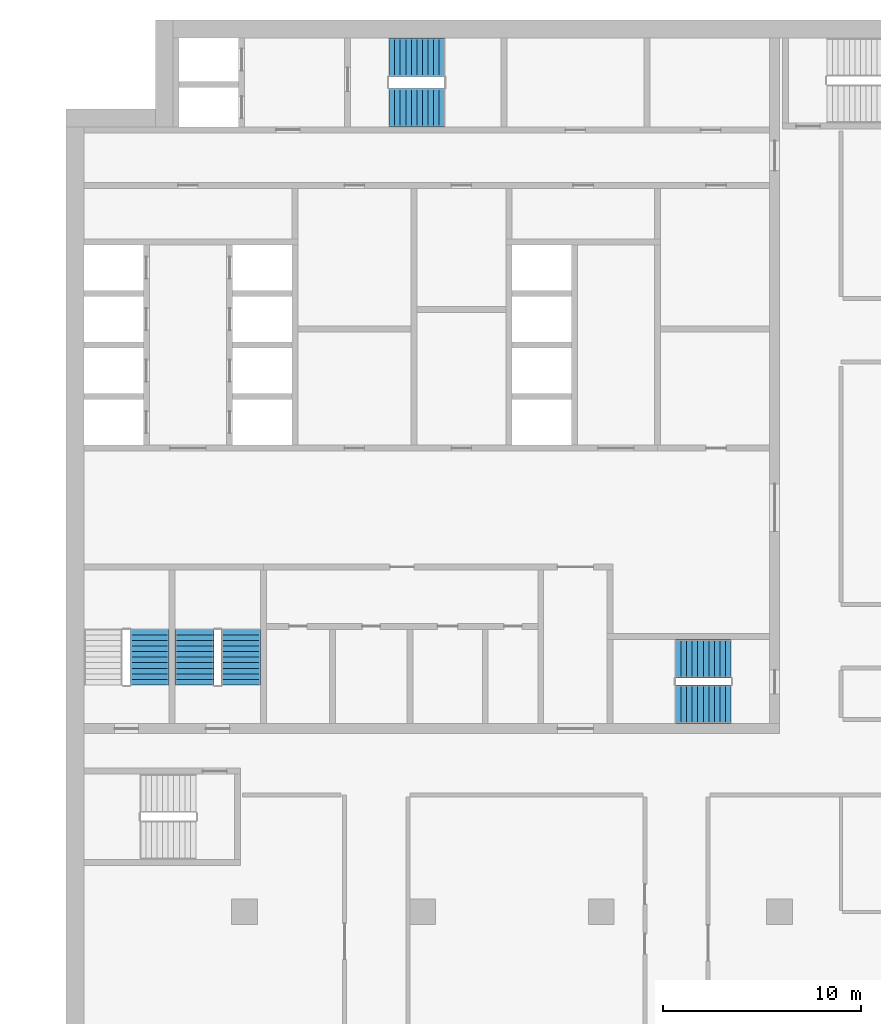
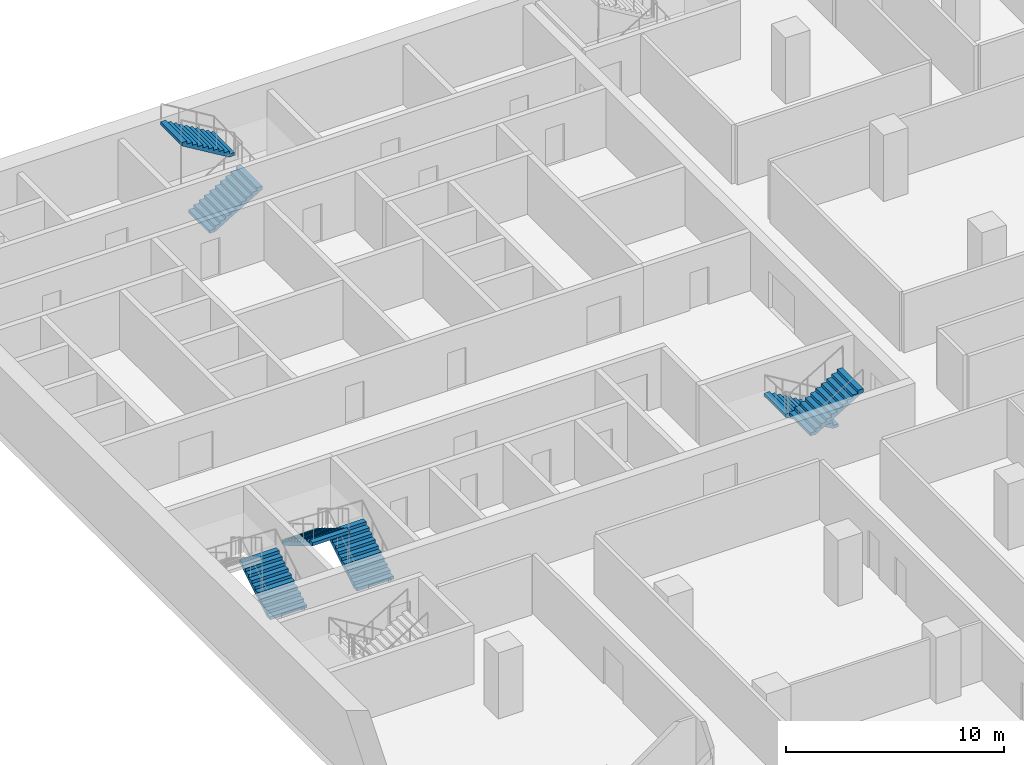
# One storey, part 16 of 22: 7 stair flights, 4 elements without a shape of their own.
"""IFC4 building model written with IfcOpenShell, lengths in metres."""

from ifc_helpers import new_model, si_unit, direction, frame, origin, place, context, subcontext, project, spatial, polyline, outline, extrude, material, type_object, element, aggregate, save


model = new_model("IFC4")

# Units and contexts
model_context = context("Model", 3, precision=1e-05, world=origin(), true_north=direction((0.0, 1.0)))
body_context = subcontext(model_context, "Body", "Model", "MODEL_VIEW")
ifc_project = project(units=[si_unit("LENGTHUNIT", "METRE"), si_unit("AREAUNIT", "SQUARE_METRE"), si_unit("VOLUMEUNIT", "CUBIC_METRE"), si_unit("PLANEANGLEUNIT", "RADIAN"), si_unit("MASSUNIT", "GRAM", prefix="KILO")], contexts=[model_context])

# Site, building, storey
site_placement = place(None, origin())
site = spatial("IfcSite", under=ifc_project, at=site_placement, CompositionType="ELEMENT")
building_placement = place(site_placement, origin())
building = spatial("IfcBuilding", under=site, at=building_placement, Name="Hunhe Ridgeline Campus", CompositionType="ELEMENT")
storey_placement = place(building_placement, frame((0.0, 0.0, 114.39990234375)))
storey = spatial("IfcBuildingStorey", under=building, at=storey_placement, Name="L28", CompositionType="ELEMENT", Elevation=114.39990234375)

# Stair, stair flights
ifc_material = material(Name="Concrete C40", Category="concrete")
stair_type = type_object("IfcStairType", Name="Reinforced concrete dog-leg stair 1950 Concrete C40", PredefinedType="HALF_TURN_STAIR", material=ifc_material)
stair_1_placement = place(storey_placement, origin())
stair_1 = element("IfcStair", 1, at=stair_1_placement, inside=storey, type_object=stair_type, Name="L28 S1", PredefinedType="HALF_TURN_STAIR")
stair_flight_type = type_object("IfcStairFlightType", Name="Reinforced concrete stair flight 1950 Concrete C40", PredefinedType="STRAIGHT", material=ifc_material)
stair_flight_1_placement = place(storey_placement, frame((16.300048828125, 94.574951171875, 0.0), z_axis=(0.0, 0.0, 1.0), x_axis=(1.0, 0.0, 0.0)))
stair_flight_1 = element("IfcStairFlight", 2, at=stair_flight_1_placement, type_object=stair_flight_type, Name="ST1 flight 1", NumberOfRisers=11, NumberOfTreads=10, PredefinedType="STRAIGHT", RiserHeight=0.168181818, TreadLength=0.28, context=body_context, shape_type="SweptSolid", body=[
    extrude(outline(polyline([(0.0, 0.0), (0.0, 0.168212890625), (0.280029296875, 0.168212890625), (0.280029296875, 0.33642578125), (0.56005859375, 0.33642578125), (0.56005859375, 0.504638671875), (0.840087890625, 0.504638671875), (0.840087890625, 0.672607421875), (1.1201171875, 0.672607421875), (1.1201171875, 0.8408203125), (1.39990234375, 0.8408203125), (1.39990234375, 1.009033203125), (1.679931640625, 1.009033203125), (1.679931640625, 1.17724609375), (1.9599609375, 1.17724609375), (1.9599609375, 1.345458984375), (2.239990234375, 1.345458984375), (2.239990234375, 1.513671875), (2.52001953125, 1.513671875), (2.52001953125, 1.681884765625), (2.800048828125, 1.681884765625), (2.800048828125, 1.85009765625), (2.800048828125, 1.5068359375), (0.291015625, 0.0), (0.0, 0.0)])), frame((0.0, 0.97509765625, 0.0), z_axis=(0.0, -1.0, 0.0), x_axis=(1.0, 0.0, 0.0)), (0.0, 0.0, 1.0), 1.949951171875),
    extrude(outline(polyline([(0.030029296875, 0.030029296875), (0.030029296875, 0.13818359375), (0.31005859375, 0.13818359375), (0.31005859375, 0.306396484375), (0.590087890625, 0.306396484375), (0.590087890625, 0.474609375), (0.8701171875, 0.474609375), (0.8701171875, 0.642578125), (1.14990234375, 0.642578125), (1.14990234375, 0.810791015625), (1.429931640625, 0.810791015625), (1.429931640625, 0.97900390625), (1.7099609375, 0.97900390625), (1.7099609375, 1.147216796875), (1.989990234375, 1.147216796875), (1.989990234375, 1.3154296875), (2.27001953125, 1.3154296875), (2.27001953125, 1.483642578125), (2.550048828125, 1.483642578125), (2.550048828125, 1.65185546875), (2.77001953125, 1.65185546875), (2.77001953125, 1.52392578125), (0.28271484375, 0.030029296875), (0.030029296875, 0.030029296875)])), frame((0.0, -0.070068359375, 0.0), z_axis=(0.0, -1.0, 0.0), x_axis=(1.0, 0.0, 0.0)), (0.0, 0.0, 1.0), 0.019775390625),
    extrude(outline(polyline([(0.030029296875, 0.030029296875), (0.030029296875, 0.13818359375), (0.31005859375, 0.13818359375), (0.31005859375, 0.306396484375), (0.590087890625, 0.306396484375), (0.590087890625, 0.474609375), (0.8701171875, 0.474609375), (0.8701171875, 0.642578125), (1.14990234375, 0.642578125), (1.14990234375, 0.810791015625), (1.429931640625, 0.810791015625), (1.429931640625, 0.97900390625), (1.7099609375, 0.97900390625), (1.7099609375, 1.147216796875), (1.989990234375, 1.147216796875), (1.989990234375, 1.3154296875), (2.27001953125, 1.3154296875), (2.27001953125, 1.483642578125), (2.550048828125, 1.483642578125), (2.550048828125, 1.65185546875), (2.77001953125, 1.65185546875), (2.77001953125, 1.52392578125), (0.28271484375, 0.030029296875), (0.030029296875, 0.030029296875)])), frame((0.0, 0.010009765625, 0.0), z_axis=(0.0, -1.0, 0.0), x_axis=(1.0, 0.0, 0.0)), (0.0, 0.0, 1.0), 0.019775390625),
    extrude(outline(polyline([(0.030029296875, 0.030029296875), (0.030029296875, 0.13818359375), (0.31005859375, 0.13818359375), (0.31005859375, 0.306396484375), (0.590087890625, 0.306396484375), (0.590087890625, 0.474609375), (0.8701171875, 0.474609375), (0.8701171875, 0.642578125), (1.14990234375, 0.642578125), (1.14990234375, 0.810791015625), (1.429931640625, 0.810791015625), (1.429931640625, 0.97900390625), (1.7099609375, 0.97900390625), (1.7099609375, 1.147216796875), (1.989990234375, 1.147216796875), (1.989990234375, 1.3154296875), (2.27001953125, 1.3154296875), (2.27001953125, 1.483642578125), (2.550048828125, 1.483642578125), (2.550048828125, 1.65185546875), (2.77001953125, 1.65185546875), (2.77001953125, 1.52392578125), (0.28271484375, 0.030029296875), (0.030029296875, 0.030029296875)])), frame((0.0, 0.090087890625, 0.0), z_axis=(0.0, -1.0, 0.0), x_axis=(1.0, 0.0, 0.0)), (0.0, 0.0, 1.0), 0.019775390625),
])
stair_flight_2_placement = place(storey_placement, frame((19.10009765625, 97.125, 1.85009765625), z_axis=(0.0, 0.0, 1.0), x_axis=(-1.0, 0.0, 0.0)))
stair_flight_2 = element("IfcStairFlight", 3, at=stair_flight_2_placement, type_object=stair_flight_type, Name="ST1 flight 2", NumberOfRisers=11, NumberOfTreads=10, PredefinedType="STRAIGHT", RiserHeight=0.168181818, TreadLength=0.28, context=body_context, shape_type="SweptSolid", body=[
    extrude(outline(polyline([(0.0, 0.0), (0.0, 0.168212890625), (0.280029296875, 0.168212890625), (0.280029296875, 0.33642578125), (0.56005859375, 0.33642578125), (0.56005859375, 0.504638671875), (0.840087890625, 0.504638671875), (0.840087890625, 0.672607421875), (1.1201171875, 0.672607421875), (1.1201171875, 0.8408203125), (1.39990234375, 0.8408203125), (1.39990234375, 1.009033203125), (1.679931640625, 1.009033203125), (1.679931640625, 1.17724609375), (1.9599609375, 1.17724609375), (1.9599609375, 1.345458984375), (2.239990234375, 1.345458984375), (2.239990234375, 1.513671875), (2.52001953125, 1.513671875), (2.52001953125, 1.681884765625), (2.800048828125, 1.681884765625), (2.800048828125, 1.85009765625), (2.800048828125, 1.5068359375), (0.291015625, 0.0), (0.0, 0.0)])), frame((0.0, 0.97509765625, 0.0), z_axis=(0.0, -1.0, 0.0), x_axis=(1.0, 0.0, 0.0)), (0.0, 0.0, 1.0), 1.949951171875),
    extrude(outline(polyline([(0.030029296875, 0.030029296875), (0.030029296875, 0.13818359375), (0.31005859375, 0.13818359375), (0.31005859375, 0.306396484375), (0.590087890625, 0.306396484375), (0.590087890625, 0.474609375), (0.8701171875, 0.474609375), (0.8701171875, 0.642578125), (1.14990234375, 0.642578125), (1.14990234375, 0.810791015625), (1.429931640625, 0.810791015625), (1.429931640625, 0.97900390625), (1.7099609375, 0.97900390625), (1.7099609375, 1.147216796875), (1.989990234375, 1.147216796875), (1.989990234375, 1.3154296875), (2.27001953125, 1.3154296875), (2.27001953125, 1.483642578125), (2.550048828125, 1.483642578125), (2.550048828125, 1.65185546875), (2.77001953125, 1.65185546875), (2.77001953125, 1.52392578125), (0.28271484375, 0.030029296875), (0.030029296875, 0.030029296875)])), frame((0.0, -0.070068359375, 0.0), z_axis=(0.0, -1.0, 0.0), x_axis=(1.0, 0.0, 0.0)), (0.0, 0.0, 1.0), 0.019775390625),
    extrude(outline(polyline([(0.030029296875, 0.030029296875), (0.030029296875, 0.13818359375), (0.31005859375, 0.13818359375), (0.31005859375, 0.306396484375), (0.590087890625, 0.306396484375), (0.590087890625, 0.474609375), (0.8701171875, 0.474609375), (0.8701171875, 0.642578125), (1.14990234375, 0.642578125), (1.14990234375, 0.810791015625), (1.429931640625, 0.810791015625), (1.429931640625, 0.97900390625), (1.7099609375, 0.97900390625), (1.7099609375, 1.147216796875), (1.989990234375, 1.147216796875), (1.989990234375, 1.3154296875), (2.27001953125, 1.3154296875), (2.27001953125, 1.483642578125), (2.550048828125, 1.483642578125), (2.550048828125, 1.65185546875), (2.77001953125, 1.65185546875), (2.77001953125, 1.52392578125), (0.28271484375, 0.030029296875), (0.030029296875, 0.030029296875)])), frame((0.0, 0.010009765625, 0.0), z_axis=(0.0, -1.0, 0.0), x_axis=(1.0, 0.0, 0.0)), (0.0, 0.0, 1.0), 0.019775390625),
    extrude(outline(polyline([(0.030029296875, 0.030029296875), (0.030029296875, 0.13818359375), (0.31005859375, 0.13818359375), (0.31005859375, 0.306396484375), (0.590087890625, 0.306396484375), (0.590087890625, 0.474609375), (0.8701171875, 0.474609375), (0.8701171875, 0.642578125), (1.14990234375, 0.642578125), (1.14990234375, 0.810791015625), (1.429931640625, 0.810791015625), (1.429931640625, 0.97900390625), (1.7099609375, 0.97900390625), (1.7099609375, 1.147216796875), (1.989990234375, 1.147216796875), (1.989990234375, 1.3154296875), (2.27001953125, 1.3154296875), (2.27001953125, 1.483642578125), (2.550048828125, 1.483642578125), (2.550048828125, 1.65185546875), (2.77001953125, 1.65185546875), (2.77001953125, 1.52392578125), (0.28271484375, 0.030029296875), (0.030029296875, 0.030029296875)])), frame((0.0, 0.090087890625, 0.0), z_axis=(0.0, -1.0, 0.0), x_axis=(1.0, 0.0, 0.0)), (0.0, 0.0, 1.0), 0.019775390625),
])
aggregate(stair_1, [stair_flight_1, stair_flight_2])

stair_2_placement = place(storey_placement, origin())
stair_2 = element("IfcStair", 4, at=stair_2_placement, inside=storey, type_object=stair_type, Name="L28 S2", PredefinedType="HALF_TURN_STAIR")
stair_flight_3_placement = place(storey_placement, frame((33.550048828125, 66.77490234375, 0.0), z_axis=(0.0, 0.0, 1.0), x_axis=(-1.0, 0.0, 0.0)))
stair_flight_3 = element("IfcStairFlight", 5, at=stair_flight_3_placement, type_object=stair_flight_type, Name="ST2 flight 1", NumberOfRisers=11, NumberOfTreads=10, PredefinedType="STRAIGHT", RiserHeight=0.168181818, TreadLength=0.28, context=body_context, shape_type="SweptSolid", body=[
    extrude(outline(polyline([(0.0, 0.0), (0.0, 0.168212890625), (0.280029296875, 0.168212890625), (0.280029296875, 0.33642578125), (0.56005859375, 0.33642578125), (0.56005859375, 0.504638671875), (0.840087890625, 0.504638671875), (0.840087890625, 0.672607421875), (1.1201171875, 0.672607421875), (1.1201171875, 0.8408203125), (1.39990234375, 0.8408203125), (1.39990234375, 1.009033203125), (1.679931640625, 1.009033203125), (1.679931640625, 1.17724609375), (1.9599609375, 1.17724609375), (1.9599609375, 1.345458984375), (2.239990234375, 1.345458984375), (2.239990234375, 1.513671875), (2.52001953125, 1.513671875), (2.52001953125, 1.681884765625), (2.800048828125, 1.681884765625), (2.800048828125, 1.85009765625), (2.800048828125, 1.5068359375), (0.291015625, 0.0), (0.0, 0.0)])), frame((0.0, 0.97509765625, 0.0), z_axis=(0.0, -1.0, 0.0), x_axis=(1.0, 0.0, 0.0)), (0.0, 0.0, 1.0), 1.949951171875),
    extrude(outline(polyline([(0.030029296875, 0.030029296875), (0.030029296875, 0.13818359375), (0.31005859375, 0.13818359375), (0.31005859375, 0.306396484375), (0.590087890625, 0.306396484375), (0.590087890625, 0.474609375), (0.8701171875, 0.474609375), (0.8701171875, 0.642578125), (1.14990234375, 0.642578125), (1.14990234375, 0.810791015625), (1.429931640625, 0.810791015625), (1.429931640625, 0.97900390625), (1.7099609375, 0.97900390625), (1.7099609375, 1.147216796875), (1.989990234375, 1.147216796875), (1.989990234375, 1.3154296875), (2.27001953125, 1.3154296875), (2.27001953125, 1.483642578125), (2.550048828125, 1.483642578125), (2.550048828125, 1.65185546875), (2.77001953125, 1.65185546875), (2.77001953125, 1.52392578125), (0.28271484375, 0.030029296875), (0.030029296875, 0.030029296875)])), frame((0.0, -0.070068359375, 0.0), z_axis=(0.0, -1.0, 0.0), x_axis=(1.0, 0.0, 0.0)), (0.0, 0.0, 1.0), 0.019775390625),
    extrude(outline(polyline([(0.030029296875, 0.030029296875), (0.030029296875, 0.13818359375), (0.31005859375, 0.13818359375), (0.31005859375, 0.306396484375), (0.590087890625, 0.306396484375), (0.590087890625, 0.474609375), (0.8701171875, 0.474609375), (0.8701171875, 0.642578125), (1.14990234375, 0.642578125), (1.14990234375, 0.810791015625), (1.429931640625, 0.810791015625), (1.429931640625, 0.97900390625), (1.7099609375, 0.97900390625), (1.7099609375, 1.147216796875), (1.989990234375, 1.147216796875), (1.989990234375, 1.3154296875), (2.27001953125, 1.3154296875), (2.27001953125, 1.483642578125), (2.550048828125, 1.483642578125), (2.550048828125, 1.65185546875), (2.77001953125, 1.65185546875), (2.77001953125, 1.52392578125), (0.28271484375, 0.030029296875), (0.030029296875, 0.030029296875)])), frame((0.0, 0.010009765625, 0.0), z_axis=(0.0, -1.0, 0.0), x_axis=(1.0, 0.0, 0.0)), (0.0, 0.0, 1.0), 0.019775390625),
    extrude(outline(polyline([(0.030029296875, 0.030029296875), (0.030029296875, 0.13818359375), (0.31005859375, 0.13818359375), (0.31005859375, 0.306396484375), (0.590087890625, 0.306396484375), (0.590087890625, 0.474609375), (0.8701171875, 0.474609375), (0.8701171875, 0.642578125), (1.14990234375, 0.642578125), (1.14990234375, 0.810791015625), (1.429931640625, 0.810791015625), (1.429931640625, 0.97900390625), (1.7099609375, 0.97900390625), (1.7099609375, 1.147216796875), (1.989990234375, 1.147216796875), (1.989990234375, 1.3154296875), (2.27001953125, 1.3154296875), (2.27001953125, 1.483642578125), (2.550048828125, 1.483642578125), (2.550048828125, 1.65185546875), (2.77001953125, 1.65185546875), (2.77001953125, 1.52392578125), (0.28271484375, 0.030029296875), (0.030029296875, 0.030029296875)])), frame((0.0, 0.090087890625, 0.0), z_axis=(0.0, -1.0, 0.0), x_axis=(1.0, 0.0, 0.0)), (0.0, 0.0, 1.0), 0.019775390625),
])
stair_flight_4_placement = place(storey_placement, frame((30.75, 64.47509765625, 1.85009765625), z_axis=(0.0, 0.0, 1.0), x_axis=(1.0, 0.0, 0.0)))
stair_flight_4 = element("IfcStairFlight", 6, at=stair_flight_4_placement, type_object=stair_flight_type, Name="ST2 flight 2", NumberOfRisers=11, NumberOfTreads=10, PredefinedType="STRAIGHT", RiserHeight=0.168181818, TreadLength=0.28, context=body_context, shape_type="SweptSolid", body=[
    extrude(outline(polyline([(0.0, 0.0), (0.0, 0.168212890625), (0.280029296875, 0.168212890625), (0.280029296875, 0.33642578125), (0.56005859375, 0.33642578125), (0.56005859375, 0.504638671875), (0.840087890625, 0.504638671875), (0.840087890625, 0.672607421875), (1.1201171875, 0.672607421875), (1.1201171875, 0.8408203125), (1.39990234375, 0.8408203125), (1.39990234375, 1.009033203125), (1.679931640625, 1.009033203125), (1.679931640625, 1.17724609375), (1.9599609375, 1.17724609375), (1.9599609375, 1.345458984375), (2.239990234375, 1.345458984375), (2.239990234375, 1.513671875), (2.52001953125, 1.513671875), (2.52001953125, 1.681884765625), (2.800048828125, 1.681884765625), (2.800048828125, 1.85009765625), (2.800048828125, 1.5068359375), (0.291015625, 0.0), (0.0, 0.0)])), frame((0.0, 0.97509765625, 0.0), z_axis=(0.0, -1.0, 0.0), x_axis=(1.0, 0.0, 0.0)), (0.0, 0.0, 1.0), 1.949951171875),
    extrude(outline(polyline([(0.030029296875, 0.030029296875), (0.030029296875, 0.13818359375), (0.31005859375, 0.13818359375), (0.31005859375, 0.306396484375), (0.590087890625, 0.306396484375), (0.590087890625, 0.474609375), (0.8701171875, 0.474609375), (0.8701171875, 0.642578125), (1.14990234375, 0.642578125), (1.14990234375, 0.810791015625), (1.429931640625, 0.810791015625), (1.429931640625, 0.97900390625), (1.7099609375, 0.97900390625), (1.7099609375, 1.147216796875), (1.989990234375, 1.147216796875), (1.989990234375, 1.3154296875), (2.27001953125, 1.3154296875), (2.27001953125, 1.483642578125), (2.550048828125, 1.483642578125), (2.550048828125, 1.65185546875), (2.77001953125, 1.65185546875), (2.77001953125, 1.52392578125), (0.28271484375, 0.030029296875), (0.030029296875, 0.030029296875)])), frame((0.0, -0.070068359375, 0.0), z_axis=(0.0, -1.0, 0.0), x_axis=(1.0, 0.0, 0.0)), (0.0, 0.0, 1.0), 0.019775390625),
    extrude(outline(polyline([(0.030029296875, 0.030029296875), (0.030029296875, 0.13818359375), (0.31005859375, 0.13818359375), (0.31005859375, 0.306396484375), (0.590087890625, 0.306396484375), (0.590087890625, 0.474609375), (0.8701171875, 0.474609375), (0.8701171875, 0.642578125), (1.14990234375, 0.642578125), (1.14990234375, 0.810791015625), (1.429931640625, 0.810791015625), (1.429931640625, 0.97900390625), (1.7099609375, 0.97900390625), (1.7099609375, 1.147216796875), (1.989990234375, 1.147216796875), (1.989990234375, 1.3154296875), (2.27001953125, 1.3154296875), (2.27001953125, 1.483642578125), (2.550048828125, 1.483642578125), (2.550048828125, 1.65185546875), (2.77001953125, 1.65185546875), (2.77001953125, 1.52392578125), (0.28271484375, 0.030029296875), (0.030029296875, 0.030029296875)])), frame((0.0, 0.010009765625, 0.0), z_axis=(0.0, -1.0, 0.0), x_axis=(1.0, 0.0, 0.0)), (0.0, 0.0, 1.0), 0.019775390625),
    extrude(outline(polyline([(0.030029296875, 0.030029296875), (0.030029296875, 0.13818359375), (0.31005859375, 0.13818359375), (0.31005859375, 0.306396484375), (0.590087890625, 0.306396484375), (0.590087890625, 0.474609375), (0.8701171875, 0.474609375), (0.8701171875, 0.642578125), (1.14990234375, 0.642578125), (1.14990234375, 0.810791015625), (1.429931640625, 0.810791015625), (1.429931640625, 0.97900390625), (1.7099609375, 0.97900390625), (1.7099609375, 1.147216796875), (1.989990234375, 1.147216796875), (1.989990234375, 1.3154296875), (2.27001953125, 1.3154296875), (2.27001953125, 1.483642578125), (2.550048828125, 1.483642578125), (2.550048828125, 1.65185546875), (2.77001953125, 1.65185546875), (2.77001953125, 1.52392578125), (0.28271484375, 0.030029296875), (0.030029296875, 0.030029296875)])), frame((0.0, 0.090087890625, 0.0), z_axis=(0.0, -1.0, 0.0), x_axis=(1.0, 0.0, 0.0)), (0.0, 0.0, 1.0), 0.019775390625),
])
aggregate(stair_2, [stair_flight_3, stair_flight_4])

# Stair, stair flight
stair_3_placement = place(storey_placement, origin())
stair_3 = element("IfcStair", 7, at=stair_3_placement, inside=storey, type_object=stair_type, Name="L28 S3", PredefinedType="HALF_TURN_STAIR")
stair_flight_5_placement = place(storey_placement, frame((4.22509765625, 65.449951171875, 0.0), z_axis=(0.0, 0.0, 1.0), x_axis=(0.0, 1.0, 0.0)))
stair_flight_5 = element("IfcStairFlight", 8, at=stair_flight_5_placement, type_object=stair_flight_type, Name="ST3 flight 1", NumberOfRisers=11, NumberOfTreads=10, PredefinedType="STRAIGHT", RiserHeight=0.168181818, TreadLength=0.28, context=body_context, shape_type="SweptSolid", body=[
    extrude(outline(polyline([(0.0, 0.0), (0.0, 0.168212890625), (0.280029296875, 0.168212890625), (0.280029296875, 0.33642578125), (0.56005859375, 0.33642578125), (0.56005859375, 0.504638671875), (0.840087890625, 0.504638671875), (0.840087890625, 0.672607421875), (1.1201171875, 0.672607421875), (1.1201171875, 0.8408203125), (1.39990234375, 0.8408203125), (1.39990234375, 1.009033203125), (1.679931640625, 1.009033203125), (1.679931640625, 1.17724609375), (1.9599609375, 1.17724609375), (1.9599609375, 1.345458984375), (2.239990234375, 1.345458984375), (2.239990234375, 1.513671875), (2.52001953125, 1.513671875), (2.52001953125, 1.681884765625), (2.800048828125, 1.681884765625), (2.800048828125, 1.85009765625), (2.800048828125, 1.5068359375), (0.291015625, 0.0), (0.0, 0.0)])), frame((0.0, 0.97509765625, 0.0), z_axis=(0.0, -1.0, 0.0), x_axis=(1.0, 0.0, 0.0)), (0.0, 0.0, 1.0), 1.949951171875),
    extrude(outline(polyline([(0.030029296875, 0.030029296875), (0.030029296875, 0.13818359375), (0.31005859375, 0.13818359375), (0.31005859375, 0.306396484375), (0.590087890625, 0.306396484375), (0.590087890625, 0.474609375), (0.8701171875, 0.474609375), (0.8701171875, 0.642578125), (1.14990234375, 0.642578125), (1.14990234375, 0.810791015625), (1.429931640625, 0.810791015625), (1.429931640625, 0.97900390625), (1.7099609375, 0.97900390625), (1.7099609375, 1.147216796875), (1.989990234375, 1.147216796875), (1.989990234375, 1.3154296875), (2.27001953125, 1.3154296875), (2.27001953125, 1.483642578125), (2.550048828125, 1.483642578125), (2.550048828125, 1.65185546875), (2.77001953125, 1.65185546875), (2.77001953125, 1.52392578125), (0.28271484375, 0.030029296875), (0.030029296875, 0.030029296875)])), frame((0.0, -0.070068359375, 0.0), z_axis=(0.0, -1.0, 0.0), x_axis=(1.0, 0.0, 0.0)), (0.0, 0.0, 1.0), 0.019775390625),
    extrude(outline(polyline([(0.030029296875, 0.030029296875), (0.030029296875, 0.13818359375), (0.31005859375, 0.13818359375), (0.31005859375, 0.306396484375), (0.590087890625, 0.306396484375), (0.590087890625, 0.474609375), (0.8701171875, 0.474609375), (0.8701171875, 0.642578125), (1.14990234375, 0.642578125), (1.14990234375, 0.810791015625), (1.429931640625, 0.810791015625), (1.429931640625, 0.97900390625), (1.7099609375, 0.97900390625), (1.7099609375, 1.147216796875), (1.989990234375, 1.147216796875), (1.989990234375, 1.3154296875), (2.27001953125, 1.3154296875), (2.27001953125, 1.483642578125), (2.550048828125, 1.483642578125), (2.550048828125, 1.65185546875), (2.77001953125, 1.65185546875), (2.77001953125, 1.52392578125), (0.28271484375, 0.030029296875), (0.030029296875, 0.030029296875)])), frame((0.0, 0.010009765625, 0.0), z_axis=(0.0, -1.0, 0.0), x_axis=(1.0, 0.0, 0.0)), (0.0, 0.0, 1.0), 0.019775390625),
    extrude(outline(polyline([(0.030029296875, 0.030029296875), (0.030029296875, 0.13818359375), (0.31005859375, 0.13818359375), (0.31005859375, 0.306396484375), (0.590087890625, 0.306396484375), (0.590087890625, 0.474609375), (0.8701171875, 0.474609375), (0.8701171875, 0.642578125), (1.14990234375, 0.642578125), (1.14990234375, 0.810791015625), (1.429931640625, 0.810791015625), (1.429931640625, 0.97900390625), (1.7099609375, 0.97900390625), (1.7099609375, 1.147216796875), (1.989990234375, 1.147216796875), (1.989990234375, 1.3154296875), (2.27001953125, 1.3154296875), (2.27001953125, 1.483642578125), (2.550048828125, 1.483642578125), (2.550048828125, 1.65185546875), (2.77001953125, 1.65185546875), (2.77001953125, 1.52392578125), (0.28271484375, 0.030029296875), (0.030029296875, 0.030029296875)])), frame((0.0, 0.090087890625, 0.0), z_axis=(0.0, -1.0, 0.0), x_axis=(1.0, 0.0, 0.0)), (0.0, 0.0, 1.0), 0.019775390625),
])
aggregate(stair_3, [stair_flight_5])

# Stair, stair flights
stair_4_placement = place(storey_placement, origin())
stair_4 = element("IfcStair", 9, at=stair_4_placement, inside=storey, type_object=stair_type, Name="L28 S4", PredefinedType="HALF_TURN_STAIR")
stair_flight_6_placement = place(storey_placement, frame((8.824951171875, 65.449951171875, 0.0), z_axis=(0.0, 0.0, 1.0), x_axis=(0.0, 1.0, 0.0)))
stair_flight_6 = element("IfcStairFlight", 10, at=stair_flight_6_placement, type_object=stair_flight_type, Name="ST4 flight 1", NumberOfRisers=11, NumberOfTreads=10, PredefinedType="STRAIGHT", RiserHeight=0.168181818, TreadLength=0.28, context=body_context, shape_type="SweptSolid", body=[
    extrude(outline(polyline([(0.0, 0.0), (0.0, 0.168212890625), (0.280029296875, 0.168212890625), (0.280029296875, 0.33642578125), (0.56005859375, 0.33642578125), (0.56005859375, 0.504638671875), (0.840087890625, 0.504638671875), (0.840087890625, 0.672607421875), (1.1201171875, 0.672607421875), (1.1201171875, 0.8408203125), (1.39990234375, 0.8408203125), (1.39990234375, 1.009033203125), (1.679931640625, 1.009033203125), (1.679931640625, 1.17724609375), (1.9599609375, 1.17724609375), (1.9599609375, 1.345458984375), (2.239990234375, 1.345458984375), (2.239990234375, 1.513671875), (2.52001953125, 1.513671875), (2.52001953125, 1.681884765625), (2.800048828125, 1.681884765625), (2.800048828125, 1.85009765625), (2.800048828125, 1.5068359375), (0.291015625, 0.0), (0.0, 0.0)])), frame((0.0, 0.97509765625, 0.0), z_axis=(0.0, -1.0, 0.0), x_axis=(1.0, 0.0, 0.0)), (0.0, 0.0, 1.0), 1.949951171875),
    extrude(outline(polyline([(0.030029296875, 0.030029296875), (0.030029296875, 0.13818359375), (0.31005859375, 0.13818359375), (0.31005859375, 0.306396484375), (0.590087890625, 0.306396484375), (0.590087890625, 0.474609375), (0.8701171875, 0.474609375), (0.8701171875, 0.642578125), (1.14990234375, 0.642578125), (1.14990234375, 0.810791015625), (1.429931640625, 0.810791015625), (1.429931640625, 0.97900390625), (1.7099609375, 0.97900390625), (1.7099609375, 1.147216796875), (1.989990234375, 1.147216796875), (1.989990234375, 1.3154296875), (2.27001953125, 1.3154296875), (2.27001953125, 1.483642578125), (2.550048828125, 1.483642578125), (2.550048828125, 1.65185546875), (2.77001953125, 1.65185546875), (2.77001953125, 1.52392578125), (0.28271484375, 0.030029296875), (0.030029296875, 0.030029296875)])), frame((0.0, -0.070068359375, 0.0), z_axis=(0.0, -1.0, 0.0), x_axis=(1.0, 0.0, 0.0)), (0.0, 0.0, 1.0), 0.019775390625),
    extrude(outline(polyline([(0.030029296875, 0.030029296875), (0.030029296875, 0.13818359375), (0.31005859375, 0.13818359375), (0.31005859375, 0.306396484375), (0.590087890625, 0.306396484375), (0.590087890625, 0.474609375), (0.8701171875, 0.474609375), (0.8701171875, 0.642578125), (1.14990234375, 0.642578125), (1.14990234375, 0.810791015625), (1.429931640625, 0.810791015625), (1.429931640625, 0.97900390625), (1.7099609375, 0.97900390625), (1.7099609375, 1.147216796875), (1.989990234375, 1.147216796875), (1.989990234375, 1.3154296875), (2.27001953125, 1.3154296875), (2.27001953125, 1.483642578125), (2.550048828125, 1.483642578125), (2.550048828125, 1.65185546875), (2.77001953125, 1.65185546875), (2.77001953125, 1.52392578125), (0.28271484375, 0.030029296875), (0.030029296875, 0.030029296875)])), frame((0.0, 0.010009765625, 0.0), z_axis=(0.0, -1.0, 0.0), x_axis=(1.0, 0.0, 0.0)), (0.0, 0.0, 1.0), 0.019775390625),
    extrude(outline(polyline([(0.030029296875, 0.030029296875), (0.030029296875, 0.13818359375), (0.31005859375, 0.13818359375), (0.31005859375, 0.306396484375), (0.590087890625, 0.306396484375), (0.590087890625, 0.474609375), (0.8701171875, 0.474609375), (0.8701171875, 0.642578125), (1.14990234375, 0.642578125), (1.14990234375, 0.810791015625), (1.429931640625, 0.810791015625), (1.429931640625, 0.97900390625), (1.7099609375, 0.97900390625), (1.7099609375, 1.147216796875), (1.989990234375, 1.147216796875), (1.989990234375, 1.3154296875), (2.27001953125, 1.3154296875), (2.27001953125, 1.483642578125), (2.550048828125, 1.483642578125), (2.550048828125, 1.65185546875), (2.77001953125, 1.65185546875), (2.77001953125, 1.52392578125), (0.28271484375, 0.030029296875), (0.030029296875, 0.030029296875)])), frame((0.0, 0.090087890625, 0.0), z_axis=(0.0, -1.0, 0.0), x_axis=(1.0, 0.0, 0.0)), (0.0, 0.0, 1.0), 0.019775390625),
])
stair_flight_7_placement = place(storey_placement, frame((6.47509765625, 68.25, 1.85009765625), z_axis=(0.0, 0.0, 1.0), x_axis=(0.0, -1.0, 0.0)))
stair_flight_7 = element("IfcStairFlight", 11, at=stair_flight_7_placement, type_object=stair_flight_type, Name="ST4 flight 2", NumberOfRisers=11, NumberOfTreads=10, PredefinedType="STRAIGHT", RiserHeight=0.168181818, TreadLength=0.28, context=body_context, shape_type="SweptSolid", body=[
    extrude(outline(polyline([(0.0, 0.0), (0.0, 0.168212890625), (0.280029296875, 0.168212890625), (0.280029296875, 0.33642578125), (0.56005859375, 0.33642578125), (0.56005859375, 0.504638671875), (0.840087890625, 0.504638671875), (0.840087890625, 0.672607421875), (1.1201171875, 0.672607421875), (1.1201171875, 0.8408203125), (1.39990234375, 0.8408203125), (1.39990234375, 1.009033203125), (1.679931640625, 1.009033203125), (1.679931640625, 1.17724609375), (1.9599609375, 1.17724609375), (1.9599609375, 1.345458984375), (2.239990234375, 1.345458984375), (2.239990234375, 1.513671875), (2.52001953125, 1.513671875), (2.52001953125, 1.681884765625), (2.800048828125, 1.681884765625), (2.800048828125, 1.85009765625), (2.800048828125, 1.5068359375), (0.291015625, 0.0), (0.0, 0.0)])), frame((0.0, 0.97509765625, 0.0), z_axis=(0.0, -1.0, 0.0), x_axis=(1.0, 0.0, 0.0)), (0.0, 0.0, 1.0), 1.949951171875),
    extrude(outline(polyline([(0.030029296875, 0.030029296875), (0.030029296875, 0.13818359375), (0.31005859375, 0.13818359375), (0.31005859375, 0.306396484375), (0.590087890625, 0.306396484375), (0.590087890625, 0.474609375), (0.8701171875, 0.474609375), (0.8701171875, 0.642578125), (1.14990234375, 0.642578125), (1.14990234375, 0.810791015625), (1.429931640625, 0.810791015625), (1.429931640625, 0.97900390625), (1.7099609375, 0.97900390625), (1.7099609375, 1.147216796875), (1.989990234375, 1.147216796875), (1.989990234375, 1.3154296875), (2.27001953125, 1.3154296875), (2.27001953125, 1.483642578125), (2.550048828125, 1.483642578125), (2.550048828125, 1.65185546875), (2.77001953125, 1.65185546875), (2.77001953125, 1.52392578125), (0.28271484375, 0.030029296875), (0.030029296875, 0.030029296875)])), frame((0.0, -0.070068359375, 0.0), z_axis=(0.0, -1.0, 0.0), x_axis=(1.0, 0.0, 0.0)), (0.0, 0.0, 1.0), 0.019775390625),
    extrude(outline(polyline([(0.030029296875, 0.030029296875), (0.030029296875, 0.13818359375), (0.31005859375, 0.13818359375), (0.31005859375, 0.306396484375), (0.590087890625, 0.306396484375), (0.590087890625, 0.474609375), (0.8701171875, 0.474609375), (0.8701171875, 0.642578125), (1.14990234375, 0.642578125), (1.14990234375, 0.810791015625), (1.429931640625, 0.810791015625), (1.429931640625, 0.97900390625), (1.7099609375, 0.97900390625), (1.7099609375, 1.147216796875), (1.989990234375, 1.147216796875), (1.989990234375, 1.3154296875), (2.27001953125, 1.3154296875), (2.27001953125, 1.483642578125), (2.550048828125, 1.483642578125), (2.550048828125, 1.65185546875), (2.77001953125, 1.65185546875), (2.77001953125, 1.52392578125), (0.28271484375, 0.030029296875), (0.030029296875, 0.030029296875)])), frame((0.0, 0.010009765625, 0.0), z_axis=(0.0, -1.0, 0.0), x_axis=(1.0, 0.0, 0.0)), (0.0, 0.0, 1.0), 0.019775390625),
    extrude(outline(polyline([(0.030029296875, 0.030029296875), (0.030029296875, 0.13818359375), (0.31005859375, 0.13818359375), (0.31005859375, 0.306396484375), (0.590087890625, 0.306396484375), (0.590087890625, 0.474609375), (0.8701171875, 0.474609375), (0.8701171875, 0.642578125), (1.14990234375, 0.642578125), (1.14990234375, 0.810791015625), (1.429931640625, 0.810791015625), (1.429931640625, 0.97900390625), (1.7099609375, 0.97900390625), (1.7099609375, 1.147216796875), (1.989990234375, 1.147216796875), (1.989990234375, 1.3154296875), (2.27001953125, 1.3154296875), (2.27001953125, 1.483642578125), (2.550048828125, 1.483642578125), (2.550048828125, 1.65185546875), (2.77001953125, 1.65185546875), (2.77001953125, 1.52392578125), (0.28271484375, 0.030029296875), (0.030029296875, 0.030029296875)])), frame((0.0, 0.090087890625, 0.0), z_axis=(0.0, -1.0, 0.0), x_axis=(1.0, 0.0, 0.0)), (0.0, 0.0, 1.0), 0.019775390625),
])
aggregate(stair_4, [stair_flight_6, stair_flight_7])

save(model, "model.ifc")
